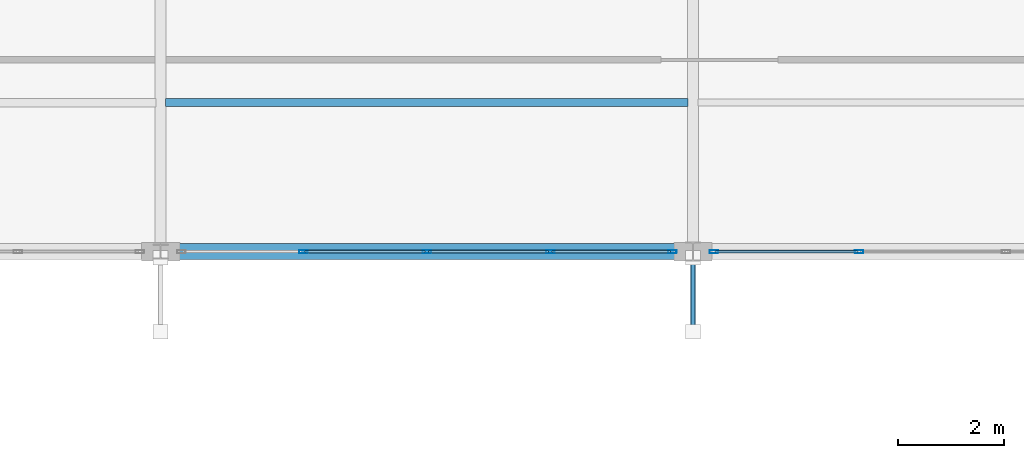
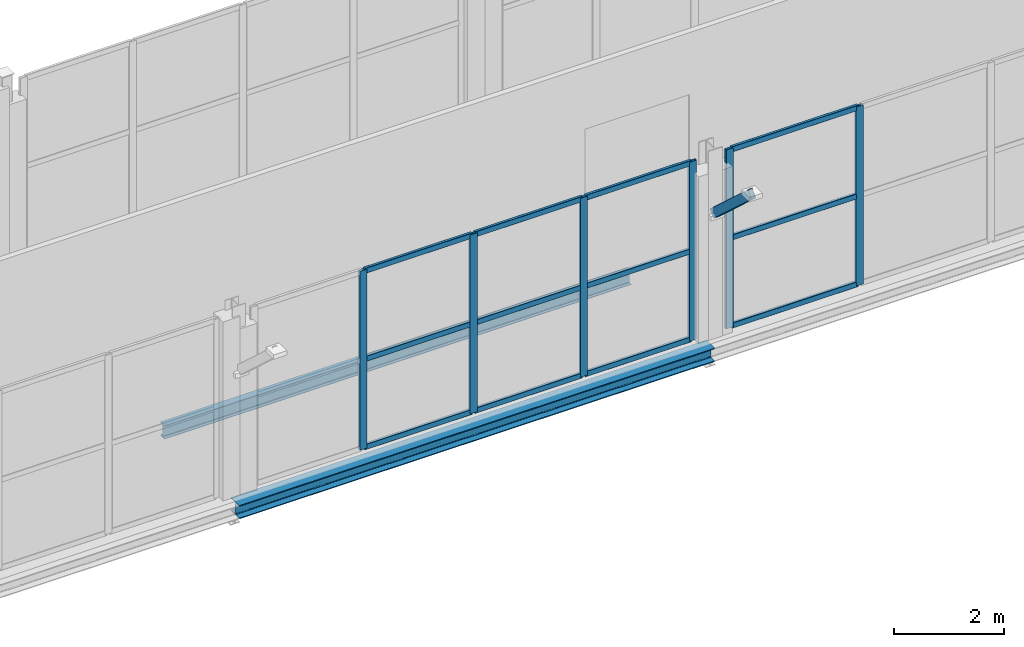
# One storey, part 52 of 101: 19 members, 2 beams, 2 elements without a shape of their own.
"""IFC4 building model written with IfcOpenShell, lengths in metres."""

from ifc_helpers import new_model, si_unit, direction, frame, origin, origin_2d, place, context, subcontext, project, spatial, hollow_rectangle, i_section, extrude, material, layer, layer_set, material_profile, profile_set, type_object, element, aggregate, save


model = new_model("IFC4")

# Units and contexts
model_context = context("Model", 3, precision=1e-05, world=origin(), true_north=direction((0.0, 1.0)))
body_context = subcontext(model_context, "Body", "Model", "MODEL_VIEW")
ifc_project = project(units=[si_unit("LENGTHUNIT", "METRE"), si_unit("AREAUNIT", "SQUARE_METRE"), si_unit("VOLUMEUNIT", "CUBIC_METRE"), si_unit("PLANEANGLEUNIT", "RADIAN"), si_unit("MASSUNIT", "GRAM", prefix="KILO")], contexts=[model_context])

# Site, building, storey
site_placement = place(None, origin())
site = spatial("IfcSite", under=ifc_project, at=site_placement, CompositionType="ELEMENT")
building_placement = place(site_placement, origin())
building = spatial("IfcBuilding", under=site, at=building_placement, Name="Vekula Escarpment Museum", CompositionType="ELEMENT")
storey_placement = place(building_placement, frame((0.0, 0.0, 18.0)))
storey = spatial("IfcBuildingStorey", under=building, at=storey_placement, Name="L04", CompositionType="ELEMENT", Elevation=18.0)

# Beams
ifc_material_1 = material(Name="Steel S355", Category="steel")
ifc_material_profile_1 = material_profile(ifc_material_1, i_section(OverallWidth=0.300048828125, OverallDepth=0.300048828125, WebThickness=0.010986328125, FlangeThickness=0.01904296875, FilletRadius=0.027099609375, at=origin_2d()), Name="HEB 300")
ifc_profile_set_1 = profile_set([ifc_material_profile_1], Name="Steel S355")
beam_type_1 = type_object("IfcBeamType", Name="BM-GIRD-HEB300", PredefinedType="BEAM", material=ifc_profile_set_1)
beam_1_placement = place(storey_placement, frame((136.0, 68.0, -0.389892578125), z_axis=(1.0, 0.0, 0.0), x_axis=(0.0, 1.0, 0.0)))
element("IfcBeam", 1, at=beam_1_placement, inside=storey, type_object=beam_type_1, Name="Beam X L04 1735", PredefinedType="BEAM", context=body_context, shape_type="SweptSolid", body=[
    extrude(i_section(OverallWidth=0.300048828125, OverallDepth=0.300048828125, WebThickness=0.010986328125, FlangeThickness=0.01904296875, FilletRadius=0.027099609375, at=origin_2d()), origin(), (0.0, 0.0, 1.0), 10.0),
])
ifc_material_2 = material(Name="Steel S355", Category="steel")
ifc_material_profile_2 = material_profile(ifc_material_2, i_section(OverallWidth=0.14990234375, OverallDepth=0.300048828125, WebThickness=0.007080078125, FlangeThickness=0.0107421875, FilletRadius=0.014892578125, at=origin_2d()), Name="IPE 300")
ifc_profile_set_2 = profile_set([ifc_material_profile_2], Name="Steel S355")
beam_type_2 = type_object("IfcBeamType", Name="BM-JST-IPE300", PredefinedType="JOIST", material=ifc_profile_set_2)
beam_2_placement = place(storey_placement, frame((136.090087890625, 70.800048828125, -0.389892578125), z_axis=(1.0, 0.0, 0.0), x_axis=(0.0, 1.0, 0.0)))
element("IfcBeam", 2, at=beam_2_placement, inside=storey, type_object=beam_type_2, Name="Secondary Joist L04 1240", PredefinedType="JOIST", context=body_context, shape_type="SweptSolid", body=[
    extrude(i_section(OverallWidth=0.14990234375, OverallDepth=0.300048828125, WebThickness=0.007080078125, FlangeThickness=0.0107421875, FilletRadius=0.014892578125, at=origin_2d()), origin(), (0.0, 0.0, 1.0), 9.81982421875),
])

# Curtain wall, members
ifc_material_3 = material(Name="Aluminium thermally broken framing", Category="aluminium")
ifc_layer_1 = layer(ifc_material_3, 0.199951171875)
ifc_layer_set_1 = layer_set([ifc_layer_1], Name="Aluminium thermally broken framing")
curtain_wall_type_1 = type_object("IfcCurtainWallType", Name="CW-SYS-03", PredefinedType="NOTDEFINED", material=ifc_layer_set_1)
curtain_wall_1_placement = place(storey_placement, origin())
curtain_wall_1 = element("IfcCurtainWall", 3, at=curtain_wall_1_placement, inside=storey, type_object=curtain_wall_type_1, Name="Curtain Wall CW-L04-143", PredefinedType="NOTDEFINED")
ifc_material_4 = material(Name="Aluminium anodized mullion", Category="aluminium")
ifc_material_profile_3 = material_profile(ifc_material_4, hollow_rectangle(XDim=0.06005859375, YDim=0.159912109375, WallThickness=0.00390625, InnerFilletRadius=0.00390625, OuterFilletRadius=0.008056640625, at=origin_2d()), Name="ALU 160x60x4")
ifc_profile_set_3 = profile_set([ifc_material_profile_3], Name="Aluminium anodized mullion")
member_type_1 = type_object("IfcMemberType", Name="CW-MUL-160", PredefinedType="MULLION", material=ifc_profile_set_3)
member_1_placement = place(storey_placement, frame((138.679931640625, 68.0, 0.0), z_axis=(0.0, 0.0, 1.0), x_axis=(0.0, 1.0, 0.0)))
member_1 = element("IfcMember", 4, at=member_1_placement, type_object=member_type_1, Name="CW-03 mullion 2", PredefinedType="MULLION", context=body_context, shape_type="SweptSolid", body=[
    extrude(hollow_rectangle(XDim=0.06005859375, YDim=0.159912109375, WallThickness=0.00390625, InnerFilletRadius=0.00390625, OuterFilletRadius=0.008056640625, at=origin_2d()), origin(), (0.0, 0.0, 1.0), 3.97998046875),
])
member_2_placement = place(storey_placement, frame((141.0, 68.0, 0.0), z_axis=(0.0, 0.0, 1.0), x_axis=(0.0, 1.0, 0.0)))
member_2 = element("IfcMember", 5, at=member_2_placement, type_object=member_type_1, Name="CW-03 mullion 3", PredefinedType="MULLION", context=body_context, shape_type="SweptSolid", body=[
    extrude(hollow_rectangle(XDim=0.06005859375, YDim=0.159912109375, WallThickness=0.00390625, InnerFilletRadius=0.00390625, OuterFilletRadius=0.008056640625, at=origin_2d()), origin(), (0.0, 0.0, 1.0), 3.97998046875),
])
member_3_placement = place(storey_placement, frame((143.320068359375, 68.0, 0.0), z_axis=(0.0, 0.0, 1.0), x_axis=(0.0, 1.0, 0.0)))
member_3 = element("IfcMember", 6, at=member_3_placement, type_object=member_type_1, Name="CW-03 mullion 4", PredefinedType="MULLION", context=body_context, shape_type="SweptSolid", body=[
    extrude(hollow_rectangle(XDim=0.06005859375, YDim=0.159912109375, WallThickness=0.00390625, InnerFilletRadius=0.00390625, OuterFilletRadius=0.008056640625, at=origin_2d()), origin(), (0.0, 0.0, 1.0), 3.97998046875),
])
member_4_placement = place(storey_placement, frame((145.610107421875, 68.0, 0.0), z_axis=(0.0, 0.0, 1.0), x_axis=(0.0, 1.0, 0.0)))
member_4 = element("IfcMember", 7, at=member_4_placement, type_object=member_type_1, Name="CW-03 mullion 5", PredefinedType="MULLION", context=body_context, shape_type="SweptSolid", body=[
    extrude(hollow_rectangle(XDim=0.06005859375, YDim=0.159912109375, WallThickness=0.00390625, InnerFilletRadius=0.00390625, OuterFilletRadius=0.008056640625, at=origin_2d()), origin(), (0.0, 0.0, 1.0), 3.97998046875),
])

ifc_material_5 = material(Name="Aluminium thermally broken framing", Category="aluminium")
ifc_layer_2 = layer(ifc_material_5, 0.199951171875)
ifc_layer_set_2 = layer_set([ifc_layer_2], Name="Aluminium thermally broken framing")
curtain_wall_type_2 = type_object("IfcCurtainWallType", Name="CW-SYS-04", PredefinedType="NOTDEFINED", material=ifc_layer_set_2)
curtain_wall_2_placement = place(storey_placement, origin())
curtain_wall_2 = element("IfcCurtainWall", 8, at=curtain_wall_2_placement, inside=storey, type_object=curtain_wall_type_2, Name="Curtain Wall CW-L04-144", PredefinedType="NOTDEFINED")
member_5_placement = place(storey_placement, frame((146.389892578125, 68.0, 0.0), z_axis=(0.0, 0.0, 1.0), x_axis=(0.0, 1.0, 0.0)))
member_5 = element("IfcMember", 9, at=member_5_placement, type_object=member_type_1, Name="CW-04 mullion 1", PredefinedType="MULLION", context=body_context, shape_type="SweptSolid", body=[
    extrude(hollow_rectangle(XDim=0.06005859375, YDim=0.159912109375, WallThickness=0.00390625, InnerFilletRadius=0.00390625, OuterFilletRadius=0.008056640625, at=origin_2d()), origin(), (0.0, 0.0, 1.0), 3.97998046875),
])
member_6_placement = place(storey_placement, frame((149.1201171875, 68.0, 0.0), z_axis=(0.0, 0.0, 1.0), x_axis=(0.0, 1.0, 0.0)))
member_6 = element("IfcMember", 10, at=member_6_placement, type_object=member_type_1, Name="CW-04 mullion 2", PredefinedType="MULLION", context=body_context, shape_type="SweptSolid", body=[
    extrude(hollow_rectangle(XDim=0.06005859375, YDim=0.159912109375, WallThickness=0.00390625, InnerFilletRadius=0.00390625, OuterFilletRadius=0.008056640625, at=origin_2d()), origin(), (0.0, 0.0, 1.0), 3.97998046875),
])

# Member
ifc_material_6 = material(Name="Aluminium anodized transom", Category="aluminium")
ifc_material_profile_4 = material_profile(ifc_material_6, hollow_rectangle(XDim=0.06005859375, YDim=0.1201171875, WallThickness=0.00390625, InnerFilletRadius=0.00390625, OuterFilletRadius=0.008056640625, at=origin_2d()), Name="ALU 120x60x4")
ifc_profile_set_4 = profile_set([ifc_material_profile_4], Name="Aluminium anodized transom")
member_type_2 = type_object("IfcMemberType", Name="CW-TRN-120", PredefinedType="USERDEFINED", material=ifc_profile_set_4)
member_7_placement = place(storey_placement, frame((138.7099609375, 68.0, 0.030029296875), z_axis=(1.0, 0.0, 0.0), x_axis=(0.0, 1.0, 0.0)))
member_7 = element("IfcMember", 11, at=member_7_placement, type_object=member_type_2, Name="CW-03 transom 2.1", ObjectType="TRANSOM", PredefinedType="USERDEFINED", context=body_context, shape_type="SweptSolid", body=[
    extrude(hollow_rectangle(XDim=0.06005859375, YDim=0.1201171875, WallThickness=0.00390625, InnerFilletRadius=0.00390625, OuterFilletRadius=0.008056640625, at=origin_2d()), origin(), (0.0, 0.0, 1.0), 2.260009765625),
])

member_8_placement = place(storey_placement, frame((138.7099609375, 68.0, 1.989990234375), z_axis=(1.0, 0.0, 0.0), x_axis=(0.0, 1.0, 0.0)))
member_8 = element("IfcMember", 12, at=member_8_placement, type_object=member_type_2, Name="CW-03 transom 2.2", ObjectType="TRANSOM", PredefinedType="USERDEFINED", context=body_context, shape_type="SweptSolid", body=[
    extrude(hollow_rectangle(XDim=0.06005859375, YDim=0.1201171875, WallThickness=0.00390625, InnerFilletRadius=0.00390625, OuterFilletRadius=0.008056640625, at=origin_2d()), origin(), (0.0, 0.0, 1.0), 2.260009765625),
])

member_9_placement = place(storey_placement, frame((138.7099609375, 68.0, 3.949951171875), z_axis=(1.0, 0.0, 0.0), x_axis=(0.0, 1.0, 0.0)))
member_9 = element("IfcMember", 13, at=member_9_placement, type_object=member_type_2, Name="CW-03 transom 2.3", ObjectType="TRANSOM", PredefinedType="USERDEFINED", context=body_context, shape_type="SweptSolid", body=[
    extrude(hollow_rectangle(XDim=0.06005859375, YDim=0.1201171875, WallThickness=0.00390625, InnerFilletRadius=0.00390625, OuterFilletRadius=0.008056640625, at=origin_2d()), origin(), (0.0, 0.0, 1.0), 2.260009765625),
])

member_10_placement = place(storey_placement, frame((141.030029296875, 68.0, 0.030029296875), z_axis=(1.0, 0.0, 0.0), x_axis=(0.0, 1.0, 0.0)))
member_10 = element("IfcMember", 14, at=member_10_placement, type_object=member_type_2, Name="CW-03 transom 3.1", ObjectType="TRANSOM", PredefinedType="USERDEFINED", context=body_context, shape_type="SweptSolid", body=[
    extrude(hollow_rectangle(XDim=0.06005859375, YDim=0.1201171875, WallThickness=0.00390625, InnerFilletRadius=0.00390625, OuterFilletRadius=0.008056640625, at=origin_2d()), origin(), (0.0, 0.0, 1.0), 2.260009765625),
])

member_11_placement = place(storey_placement, frame((141.030029296875, 68.0, 1.989990234375), z_axis=(1.0, 0.0, 0.0), x_axis=(0.0, 1.0, 0.0)))
member_11 = element("IfcMember", 15, at=member_11_placement, type_object=member_type_2, Name="CW-03 transom 3.2", ObjectType="TRANSOM", PredefinedType="USERDEFINED", context=body_context, shape_type="SweptSolid", body=[
    extrude(hollow_rectangle(XDim=0.06005859375, YDim=0.1201171875, WallThickness=0.00390625, InnerFilletRadius=0.00390625, OuterFilletRadius=0.008056640625, at=origin_2d()), origin(), (0.0, 0.0, 1.0), 2.260009765625),
])

member_12_placement = place(storey_placement, frame((141.030029296875, 68.0, 3.949951171875), z_axis=(1.0, 0.0, 0.0), x_axis=(0.0, 1.0, 0.0)))
member_12 = element("IfcMember", 16, at=member_12_placement, type_object=member_type_2, Name="CW-03 transom 3.3", ObjectType="TRANSOM", PredefinedType="USERDEFINED", context=body_context, shape_type="SweptSolid", body=[
    extrude(hollow_rectangle(XDim=0.06005859375, YDim=0.1201171875, WallThickness=0.00390625, InnerFilletRadius=0.00390625, OuterFilletRadius=0.008056640625, at=origin_2d()), origin(), (0.0, 0.0, 1.0), 2.260009765625),
])

member_13_placement = place(storey_placement, frame((143.35009765625, 68.0, 0.030029296875), z_axis=(1.0, 0.0, 0.0), x_axis=(0.0, 1.0, 0.0)))
member_13 = element("IfcMember", 17, at=member_13_placement, type_object=member_type_2, Name="CW-03 transom 4.1", ObjectType="TRANSOM", PredefinedType="USERDEFINED", context=body_context, shape_type="SweptSolid", body=[
    extrude(hollow_rectangle(XDim=0.06005859375, YDim=0.1201171875, WallThickness=0.00390625, InnerFilletRadius=0.00390625, OuterFilletRadius=0.008056640625, at=origin_2d()), origin(), (0.0, 0.0, 1.0), 2.22998046875),
])

member_14_placement = place(storey_placement, frame((143.35009765625, 68.0, 1.989990234375), z_axis=(1.0, 0.0, 0.0), x_axis=(0.0, 1.0, 0.0)))
member_14 = element("IfcMember", 18, at=member_14_placement, type_object=member_type_2, Name="CW-03 transom 4.2", ObjectType="TRANSOM", PredefinedType="USERDEFINED", context=body_context, shape_type="SweptSolid", body=[
    extrude(hollow_rectangle(XDim=0.06005859375, YDim=0.1201171875, WallThickness=0.00390625, InnerFilletRadius=0.00390625, OuterFilletRadius=0.008056640625, at=origin_2d()), origin(), (0.0, 0.0, 1.0), 2.22998046875),
])

member_15_placement = place(storey_placement, frame((143.35009765625, 68.0, 3.949951171875), z_axis=(1.0, 0.0, 0.0), x_axis=(0.0, 1.0, 0.0)))
member_15 = element("IfcMember", 19, at=member_15_placement, type_object=member_type_2, Name="CW-03 transom 4.3", ObjectType="TRANSOM", PredefinedType="USERDEFINED", context=body_context, shape_type="SweptSolid", body=[
    extrude(hollow_rectangle(XDim=0.06005859375, YDim=0.1201171875, WallThickness=0.00390625, InnerFilletRadius=0.00390625, OuterFilletRadius=0.008056640625, at=origin_2d()), origin(), (0.0, 0.0, 1.0), 2.22998046875),
])

aggregate(curtain_wall_1, [member_1, member_2, member_3, member_4, member_7, member_8, member_9, member_10, member_11, member_12, member_13, member_14, member_15])

member_16_placement = place(storey_placement, frame((146.419921875, 68.0, 0.030029296875), z_axis=(1.0, 0.0, 0.0), x_axis=(0.0, 1.0, 0.0)))
member_16 = element("IfcMember", 20, at=member_16_placement, type_object=member_type_2, Name="CW-04 transom 1.1", ObjectType="TRANSOM", PredefinedType="USERDEFINED", context=body_context, shape_type="SweptSolid", body=[
    extrude(hollow_rectangle(XDim=0.06005859375, YDim=0.1201171875, WallThickness=0.00390625, InnerFilletRadius=0.00390625, OuterFilletRadius=0.008056640625, at=origin_2d()), origin(), (0.0, 0.0, 1.0), 2.670166015625),
])

member_17_placement = place(storey_placement, frame((146.419921875, 68.0, 1.989990234375), z_axis=(1.0, 0.0, 0.0), x_axis=(0.0, 1.0, 0.0)))
member_17 = element("IfcMember", 21, at=member_17_placement, type_object=member_type_2, Name="CW-04 transom 1.2", ObjectType="TRANSOM", PredefinedType="USERDEFINED", context=body_context, shape_type="SweptSolid", body=[
    extrude(hollow_rectangle(XDim=0.06005859375, YDim=0.1201171875, WallThickness=0.00390625, InnerFilletRadius=0.00390625, OuterFilletRadius=0.008056640625, at=origin_2d()), origin(), (0.0, 0.0, 1.0), 2.670166015625),
])

member_18_placement = place(storey_placement, frame((146.419921875, 68.0, 3.949951171875), z_axis=(1.0, 0.0, 0.0), x_axis=(0.0, 1.0, 0.0)))
member_18 = element("IfcMember", 22, at=member_18_placement, type_object=member_type_2, Name="CW-04 transom 1.3", ObjectType="TRANSOM", PredefinedType="USERDEFINED", context=body_context, shape_type="SweptSolid", body=[
    extrude(hollow_rectangle(XDim=0.06005859375, YDim=0.1201171875, WallThickness=0.00390625, InnerFilletRadius=0.00390625, OuterFilletRadius=0.008056640625, at=origin_2d()), origin(), (0.0, 0.0, 1.0), 2.670166015625),
])

aggregate(curtain_wall_2, [member_5, member_6, member_16, member_17, member_18])

ifc_material_7 = material(Name="Steel S355", Category="steel")
ifc_material_profile_5 = material_profile(ifc_material_7, hollow_rectangle(XDim=0.10009765625, YDim=0.199951171875, WallThickness=0.008056640625, InnerFilletRadius=0.008056640625, OuterFilletRadius=0.01611328125, at=origin_2d()), Name="RHS 200x100x8")
ifc_profile_set_5 = profile_set([ifc_material_profile_5], Name="Steel S355")
member_type_3 = type_object("IfcMemberType", Name="MB-SACAK-BRK", PredefinedType="STRUT", material=ifc_profile_set_5)
member_19_placement = place(storey_placement, frame((146.0, 67.8798828125, 2.75), z_axis=(0.0, -0.738454378718, 0.674303441006), x_axis=(1.0, 0.0, 0.0)))
element("IfcMember", 23, at=member_19_placement, inside=storey, type_object=member_type_3, Name="Ottoman Sacak Eave Bracket L05-0125", PredefinedType="STRUT", context=body_context, shape_type="SweptSolid", body=[
    extrude(hollow_rectangle(XDim=0.10009765625, YDim=0.199951171875, WallThickness=0.008056640625, InnerFilletRadius=0.008056640625, OuterFilletRadius=0.01611328125, at=origin_2d()), origin(), (0.0, 0.0, 1.0), 1.86865234375),
])

save(model, "model.ifc")
